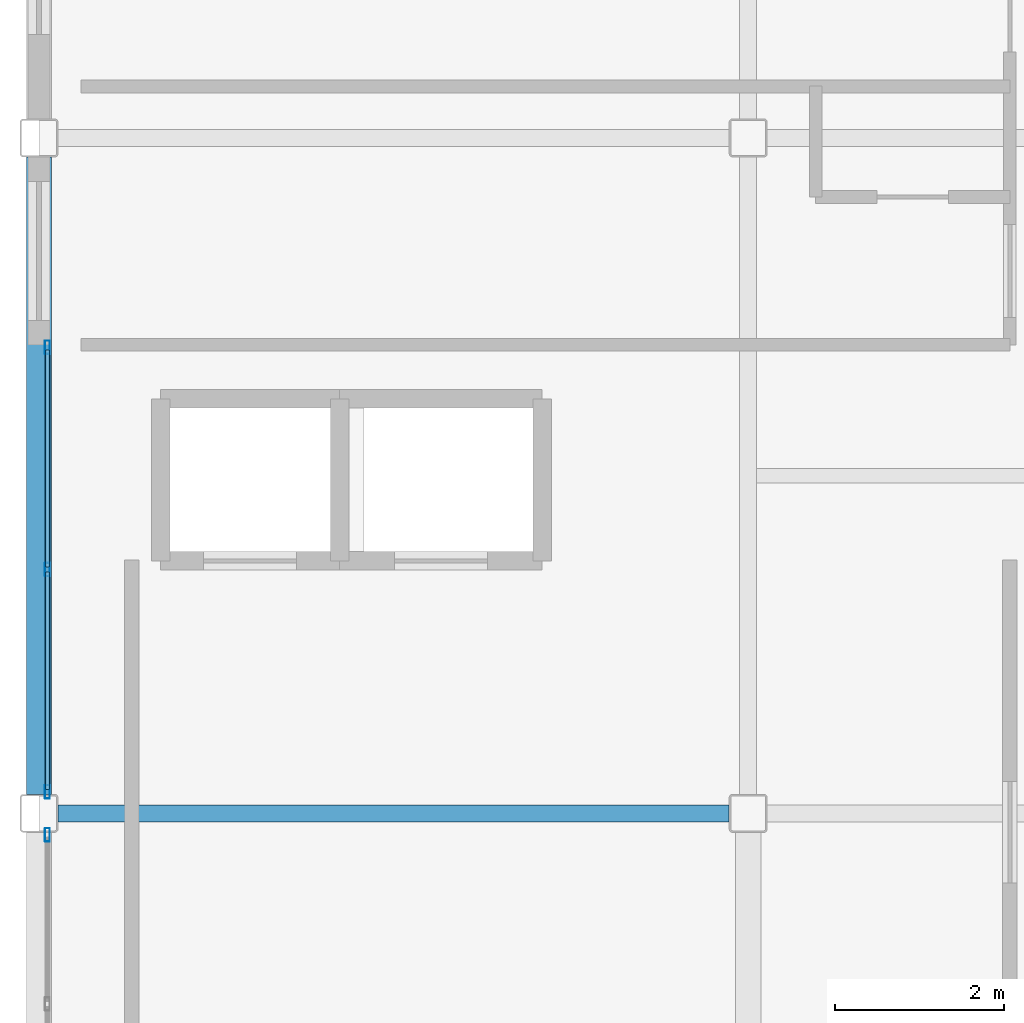
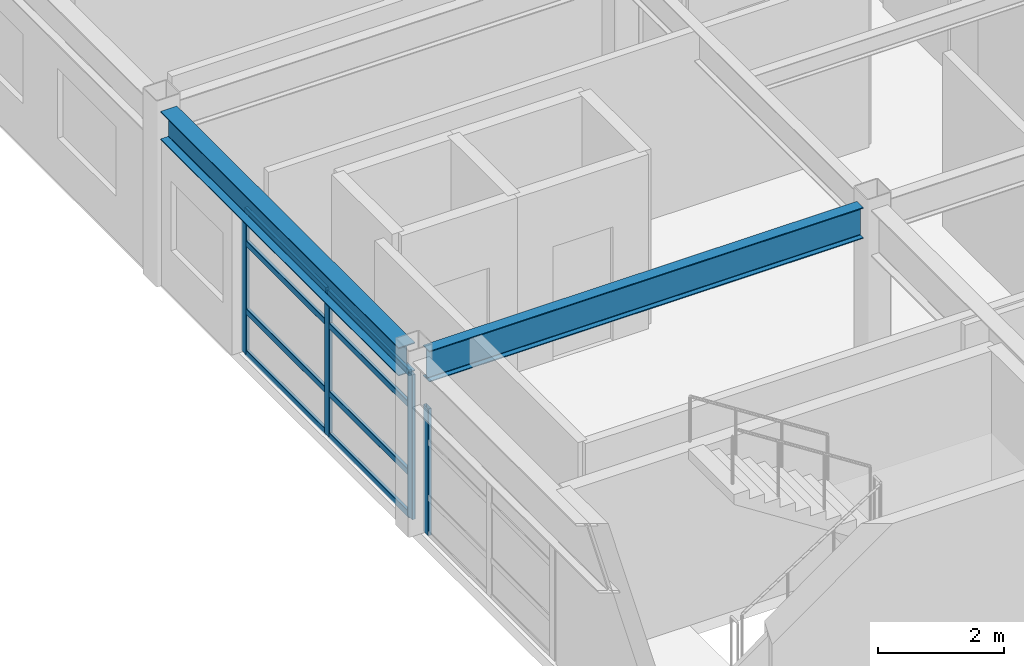
# One storey, part 13 of 28: 12 members, 2 beams, 2 elements without a shape of their own.
"""IFC4 building model written with IfcOpenShell, lengths in metres."""

import ifcopenshell
import ifcopenshell.guid

model = None  # the IFC model being written
_history = None  # IfcOwnerHistory: only IFC2X3 demands one
_inside = {}  # id of a spatial element -> (the spatial element, [elements in it])
_under = {}  # id of a project, library or spatial element -> (it, [spatial elements below it])
_declared = {}  # id of a project -> (the project, [libraries it declares])
_typed = {}  # id of a type object -> (the type object, [elements of that type])
_made_of = {}  # id of a material, layer set ... -> (it, [elements and type objects made of it])


def new_model(schema):
    """Start an empty IFC model of exactly this schema.

    Asked for "IFC4X3", IfcOpenShell would pick the latest addendum, in which some entities
    have other attributes; the version numbers below select the first issue.
    IFC2X3 requires an IfcOwnerHistory on every rooted entity: one is made here for all.
    """
    global model, _history
    if schema == "IFC4X3":
        model = ifcopenshell.file(schema_version=(4, 3, 0, 0))
    else:
        model = ifcopenshell.file(schema=schema)
    _inside.clear()
    _under.clear()
    _declared.clear()
    _typed.clear()
    _made_of.clear()
    _history = None
    if model.schema == "IFC2X3":
        org = make("IfcOrganization", Name="unknown")
        user = make(
            "IfcPersonAndOrganization",
            ThePerson=make("IfcPerson", FamilyName="unknown"),
            TheOrganization=org,
        )
        app = make(
            "IfcApplication",
            ApplicationDeveloper=org,
            Version="unknown",
            ApplicationFullName="unknown",
            ApplicationIdentifier="unknown",
        )
        _history = make(
            "IfcOwnerHistory",
            OwningUser=user,
            OwningApplication=app,
            ChangeAction="ADDED",
            CreationDate=0,
        )
    return model


def make(cls, **values):
    """One entity of the class cls with the attributes given. An attribute that is None is left unset."""
    return model.create_entity(
        cls, **{name: value for name, value in values.items() if value is not None}
    )


def rooted(cls, **values):
    """An entity with a GlobalId (a new one), such as an element, a storey or a relation."""
    return make(cls, GlobalId=ifcopenshell.guid.new(), OwnerHistory=_history, **values)


def si_unit(unit_type, name, prefix=None):
    """IfcSIUnit, for example si_unit("LENGTHUNIT", "METRE", prefix="MILLI")."""
    return make("IfcSIUnit", UnitType=unit_type, Prefix=prefix, Name=name)


def assignment(units):
    """IfcUnitAssignment: the units of a project."""
    return None if units is None else make("IfcUnitAssignment", Units=units)


def point(xyz):
    """IfcCartesianPoint."""
    return None if xyz is None else make("IfcCartesianPoint", Coordinates=xyz)


def direction(xyz):
    """IfcDirection."""
    return None if xyz is None else make("IfcDirection", DirectionRatios=xyz)


def frame(location, z_axis=None, x_axis=None):
    """IfcAxis2Placement3D, a coordinate frame: its origin and axes. An axis left out is left unset."""
    return make(
        "IfcAxis2Placement3D",
        Location=point(location),
        Axis=direction(z_axis),
        RefDirection=direction(x_axis),
    )


def frame_2d(location, x_axis=None):
    """IfcAxis2Placement2D, a coordinate frame in the plane: its origin and x axis."""
    return make(
        "IfcAxis2Placement2D", Location=point(location), RefDirection=direction(x_axis)
    )


def origin():
    """The frame at (0, 0, 0) with its axes left unset."""
    return frame((0.0, 0.0, 0.0))


def origin_2d():
    """The frame at (0, 0) in the plane with its x axis left unset."""
    return frame_2d((0.0, 0.0))


def place(relative_to, where):
    """IfcLocalPlacement: puts the frame where relative to a parent placement (None: the world)."""
    return make(
        "IfcLocalPlacement", PlacementRelTo=relative_to, RelativePlacement=where
    )


def context(
    kind, dimensions, precision=None, world=None, true_north=None, identifier=None
):
    """IfcGeometricRepresentationContext, for example the 3D "Model" context."""
    return make(
        "IfcGeometricRepresentationContext",
        ContextIdentifier=identifier,
        ContextType=kind,
        CoordinateSpaceDimension=dimensions,
        Precision=precision,
        WorldCoordinateSystem=world,
        TrueNorth=true_north,
    )


def subcontext(parent, identifier, kind, view, scale=None):
    """IfcGeometricRepresentationSubContext, for example "Body" below "Model"."""
    return make(
        "IfcGeometricRepresentationSubContext",
        ContextIdentifier=identifier,
        ContextType=kind,
        ParentContext=parent,
        TargetScale=scale,
        TargetView=view,
    )


def project(units=None, contexts=None):
    """IfcProject with its units and contexts."""
    return rooted(
        "IfcProject",
        Name="project",
        RepresentationContexts=contexts,
        UnitsInContext=assignment(units),
    )


def spatial(cls, under=None, at=None, **own):
    """A site, building, storey or space (cls), placed at a placement, below another one or the project."""
    s = rooted(cls, ObjectPlacement=at, **own)
    if under is not None:
        _under.setdefault(under.id(), (under, []))[1].append(s)
    return s


def profile(cls, at=None, kind="AREA", **sizes):
    """A parametric profile (cls). Its sizes go by their IFC names, for example OverallWidth=200.0."""
    return make(cls, ProfileType=kind, Position=at, **sizes)


def hollow_rectangle(**sizes):
    """IfcRectangleHollowProfileDef."""
    return profile("IfcRectangleHollowProfileDef", **sizes)


def i_section(**sizes):
    """IfcIShapeProfileDef."""
    return profile("IfcIShapeProfileDef", **sizes)


def extrude(swept, where, along, depth):
    """IfcExtrudedAreaSolid: the profile swept, set in the frame where, extruded along a direction by depth."""
    return make(
        "IfcExtrudedAreaSolid",
        SweptArea=swept,
        Position=where,
        ExtrudedDirection=direction(along),
        Depth=depth,
    )


def shape(context_of_items, identifier, shape_type, items):
    """IfcShapeRepresentation: the items that make up one representation, for example the "Body"."""
    return make(
        "IfcShapeRepresentation",
        ContextOfItems=context_of_items,
        RepresentationIdentifier=identifier,
        RepresentationType=shape_type,
        Items=items,
    )


def material(Name=None, Category=None):
    """IfcMaterial."""
    return make("IfcMaterial", Name=Name, Category=Category)


def layer(
    of_material, thickness, ventilated=None, Name=None, Category=None, Priority=None
):
    """IfcMaterialLayer: one layer of a wall or slab, of a material (None: an air gap)."""
    return make(
        "IfcMaterialLayer",
        Material=of_material,
        LayerThickness=thickness,
        IsVentilated=ventilated,
        Name=Name,
        Category=Category,
        Priority=Priority,
    )


def layer_set(layers, Name=None):
    """IfcMaterialLayerSet."""
    return make("IfcMaterialLayerSet", MaterialLayers=layers, LayerSetName=Name)


def material_profile(
    of_material, cross_section, Name=None, Category=None, Priority=None
):
    """IfcMaterialProfile: a cross section and its material."""
    return make(
        "IfcMaterialProfile",
        Name=Name,
        Material=of_material,
        Profile=cross_section,
        Priority=Priority,
        Category=Category,
    )


def profile_set(profiles, Name=None, composite=None):
    """IfcMaterialProfileSet."""
    return make(
        "IfcMaterialProfileSet",
        Name=Name,
        MaterialProfiles=profiles,
        CompositeProfile=composite,
    )


def made_of(thing, what):
    """Note that an element or type object is made of a material, layer set ...; save() writes the relation."""
    if what is not None:
        _made_of.setdefault(what.id(), (what, []))[1].append(thing)
    return thing


def type_object(cls, material=None, **own):
    """A type object (cls), such as IfcWallType, which elements share."""
    return made_of(rooted(cls, **own), material)


def element(
    cls,
    number,
    at=None,
    inside=None,
    cuts=None,
    type_object=None,
    material=None,
    context=None,
    identifier="Body",
    shape_type=None,
    held_by="IfcProductDefinitionShape",
    body=None,
    shapes=None,
    **own,
):
    """One element of the class cls, such as IfcWall. Its Tag is "e" and its number.

    at: its placement. inside: the storey or other place that contains it. cuts: it is an
    opening in that element (IfcRelVoidsElement). A single representation is given by context,
    identifier, shape_type and body (its items); several are given by shapes. held_by: the class
    of the entity that holds the representations. save() writes the other relations.
    """
    e = rooted(cls, Tag="e%d" % number, ObjectPlacement=at, **own)
    if body is not None:
        shapes = [shape(context, identifier, shape_type, body)]
    if shapes is not None:
        e.Representation = make(held_by, Representations=shapes)
    if inside is not None:
        _inside.setdefault(inside.id(), (inside, []))[1].append(e)
    if cuts is not None:
        rooted(
            "IfcRelVoidsElement", RelatingBuildingElement=cuts, RelatedOpeningElement=e
        )
    if type_object is not None:
        _typed.setdefault(type_object.id(), (type_object, []))[1].append(e)
    return made_of(e, material)


def aggregate(whole, parts):
    """IfcRelAggregates: a whole, such as a stair, and the parts it consists of."""
    return rooted("IfcRelAggregates", RelatingObject=whole, RelatedObjects=parts)


def save(model, path):
    """Write the relations noted so far, then the file.

    IfcRelAggregates (storeys below a building ...), IfcRelContainedInSpatialStructure (elements
    in a storey), IfcRelDefinesByType, IfcRelAssociatesMaterial and IfcRelDeclares: one each for
    every whole, place, type object, material and project.
    """
    for whole, parts in _under.values():
        aggregate(whole, parts)
    for where, things in _inside.values():
        rooted(
            "IfcRelContainedInSpatialStructure",
            RelatedElements=things,
            RelatingStructure=where,
        )
    for kind, things in _typed.values():
        rooted("IfcRelDefinesByType", RelatedObjects=things, RelatingType=kind)
    for what, things in _made_of.values():
        rooted("IfcRelAssociatesMaterial", RelatedObjects=things, RelatingMaterial=what)
    for by, libraries in _declared.values():
        rooted("IfcRelDeclares", RelatingContext=by, RelatedDefinitions=libraries)
    model.write(path)


model = new_model("IFC4")

# Units and contexts
model_context = context("Model", 3, precision=1e-05, world=origin(), true_north=direction((0.0, 1.0)))
body_context = subcontext(model_context, "Body", "Model", "MODEL_VIEW")
ifc_project = project(units=[si_unit("LENGTHUNIT", "METRE"), si_unit("AREAUNIT", "SQUARE_METRE"), si_unit("VOLUMEUNIT", "CUBIC_METRE"), si_unit("PLANEANGLEUNIT", "RADIAN"), si_unit("MASSUNIT", "GRAM", prefix="KILO")], contexts=[model_context])

# Site, building, storey
site_placement = place(None, origin())
site = spatial("IfcSite", under=ifc_project, at=site_placement, CompositionType="ELEMENT")
building_placement = place(site_placement, origin())
building = spatial("IfcBuilding", under=site, at=building_placement, Name="Kazehara Bluff Congress Hotel", CompositionType="ELEMENT")
storey_placement = place(building_placement, frame((0.0, 0.0, 42.60009765625)))
storey = spatial("IfcBuildingStorey", under=building, at=storey_placement, Name="L10", CompositionType="ELEMENT", Elevation=42.60009765625)

# Curtain wall, member
ifc_material_1 = material(Name="Anodised aluminium", Category="aluminium")
ifc_layer_1 = layer(ifc_material_1, 0.159912109375)
ifc_layer_set_1 = layer_set([ifc_layer_1], Name="Anodised aluminium")
curtain_wall_type_1 = type_object("IfcCurtainWallType", Name="TP-CW-204", PredefinedType="NOTDEFINED", material=ifc_layer_set_1)
curtain_wall_1_placement = place(storey_placement, origin())
curtain_wall_1 = element("IfcCurtainWall", 1, at=curtain_wall_1_placement, inside=storey, type_object=curtain_wall_type_1, Name="L10 curtain wall CW-204 CW-ENC-V5-L10-14380-5419", PredefinedType="NOTDEFINED")
ifc_material_2 = material(Name="Anodised aluminium", Category="aluminium")
ifc_material_profile_1 = material_profile(ifc_material_2, hollow_rectangle(XDim=0.06005859375, YDim=0.159912109375, WallThickness=0.00390625, InnerFilletRadius=0.00390625, OuterFilletRadius=0.008056640625, at=origin_2d()))
ifc_profile_set_1 = profile_set([ifc_material_profile_1], Name="Anodised aluminium")
member_type_1 = type_object("IfcMemberType", Name="TP-CWM-01", PredefinedType="MULLION", material=ifc_profile_set_1)
member_1_placement = place(storey_placement, frame((143.800048828125, 56.195068359375, 0.0), z_axis=(0.0, 0.0, 1.0), x_axis=(-1.0, 0.0, 0.0)))
member_1 = element("IfcMember", 2, at=member_1_placement, type_object=member_type_1, Name="CW-204 mullion 3", PredefinedType="MULLION", context=body_context, shape_type="SweptSolid", body=[
    extrude(hollow_rectangle(XDim=0.06005859375, YDim=0.159912109375, WallThickness=0.00390625, InnerFilletRadius=0.00390625, OuterFilletRadius=0.008056640625, at=origin_2d()), origin(), (0.0, 0.0, 1.0), 2.454833984375),
])
aggregate(curtain_wall_1, [member_1])

# Curtain wall, members
ifc_material_3 = material(Name="Anodised aluminium", Category="aluminium")
ifc_layer_2 = layer(ifc_material_3, 0.159912109375)
ifc_layer_set_2 = layer_set([ifc_layer_2], Name="Anodised aluminium")
curtain_wall_type_2 = type_object("IfcCurtainWallType", Name="TP-CW-205", PredefinedType="NOTDEFINED", material=ifc_layer_set_2)
curtain_wall_2_placement = place(storey_placement, origin())
curtain_wall_2 = element("IfcCurtainWall", 3, at=curtain_wall_2_placement, inside=storey, type_object=curtain_wall_type_2, Name="L10 curtain wall CW-205 CW-ENC-V5-L10-14380-5934", PredefinedType="NOTDEFINED")
member_2_placement = place(storey_placement, frame((143.800048828125, 56.705078125, 0.0), z_axis=(0.0, 0.0, 1.0), x_axis=(-1.0, 0.0, 0.0)))
member_2 = element("IfcMember", 4, at=member_2_placement, type_object=member_type_1, Name="CW-205 mullion 1", PredefinedType="MULLION", context=body_context, shape_type="SweptSolid", body=[
    extrude(hollow_rectangle(XDim=0.06005859375, YDim=0.159912109375, WallThickness=0.00390625, InnerFilletRadius=0.00390625, OuterFilletRadius=0.008056640625, at=origin_2d()), origin(), (0.0, 0.0, 1.0), 2.804931640625),
])
member_3_placement = place(storey_placement, frame((143.800048828125, 59.33740234375, 0.0), z_axis=(0.0, 0.0, 1.0), x_axis=(-1.0, 0.0, 0.0)))
member_3 = element("IfcMember", 5, at=member_3_placement, type_object=member_type_1, Name="CW-205 mullion 2", PredefinedType="MULLION", context=body_context, shape_type="SweptSolid", body=[
    extrude(hollow_rectangle(XDim=0.06005859375, YDim=0.159912109375, WallThickness=0.00390625, InnerFilletRadius=0.00390625, OuterFilletRadius=0.008056640625, at=origin_2d()), origin(), (0.0, 0.0, 1.0), 2.804931640625),
])
member_4_placement = place(storey_placement, frame((143.800048828125, 61.969970703125, 0.0), z_axis=(0.0, 0.0, 1.0), x_axis=(-1.0, 0.0, 0.0)))
member_4 = element("IfcMember", 6, at=member_4_placement, type_object=member_type_1, Name="CW-205 mullion 3", PredefinedType="MULLION", context=body_context, shape_type="SweptSolid", body=[
    extrude(hollow_rectangle(XDim=0.06005859375, YDim=0.159912109375, WallThickness=0.00390625, InnerFilletRadius=0.00390625, OuterFilletRadius=0.008056640625, at=origin_2d()), origin(), (0.0, 0.0, 1.0), 2.804931640625),
])
ifc_material_4 = material(Name="Anodised aluminium", Category="aluminium")
ifc_material_profile_2 = material_profile(ifc_material_4, hollow_rectangle(XDim=0.06005859375, YDim=0.1201171875, WallThickness=0.00390625, InnerFilletRadius=0.00390625, OuterFilletRadius=0.008056640625, at=origin_2d()))
ifc_profile_set_2 = profile_set([ifc_material_profile_2], Name="Anodised aluminium")
member_type_2 = type_object("IfcMemberType", Name="TP-CWT-01", PredefinedType="USERDEFINED", material=ifc_profile_set_2)
member_5_placement = place(storey_placement, frame((143.800048828125, 56.735107421875, 0.02978515625), z_axis=(0.0, 1.0, 0.0), x_axis=(-1.0, 0.0, 0.0)))
member_5 = element("IfcMember", 7, at=member_5_placement, type_object=member_type_2, Name="CW-205 transom 1.1", ObjectType="TRANSOM", PredefinedType="USERDEFINED", context=body_context, shape_type="SweptSolid", body=[
    extrude(hollow_rectangle(XDim=0.06005859375, YDim=0.1201171875, WallThickness=0.00390625, InnerFilletRadius=0.00390625, OuterFilletRadius=0.008056640625, at=origin_2d()), origin(), (0.0, 0.0, 1.0), 2.572509765625),
])
member_6_placement = place(storey_placement, frame((143.800048828125, 56.735107421875, 0.83984375), z_axis=(0.0, 1.0, 0.0), x_axis=(-1.0, 0.0, 0.0)))
member_6 = element("IfcMember", 8, at=member_6_placement, type_object=member_type_2, Name="CW-205 transom 1.2", ObjectType="TRANSOM", PredefinedType="USERDEFINED", context=body_context, shape_type="SweptSolid", body=[
    extrude(hollow_rectangle(XDim=0.06005859375, YDim=0.1201171875, WallThickness=0.00390625, InnerFilletRadius=0.00390625, OuterFilletRadius=0.008056640625, at=origin_2d()), origin(), (0.0, 0.0, 1.0), 2.572509765625),
])
member_7_placement = place(storey_placement, frame((143.800048828125, 56.735107421875, 2.15478515625), z_axis=(0.0, 1.0, 0.0), x_axis=(-1.0, 0.0, 0.0)))
member_7 = element("IfcMember", 9, at=member_7_placement, type_object=member_type_2, Name="CW-205 transom 1.3", ObjectType="TRANSOM", PredefinedType="USERDEFINED", context=body_context, shape_type="SweptSolid", body=[
    extrude(hollow_rectangle(XDim=0.06005859375, YDim=0.1201171875, WallThickness=0.00390625, InnerFilletRadius=0.00390625, OuterFilletRadius=0.008056640625, at=origin_2d()), origin(), (0.0, 0.0, 1.0), 2.572509765625),
])
member_8_placement = place(storey_placement, frame((143.800048828125, 56.735107421875, 2.77490234375), z_axis=(0.0, 1.0, 0.0), x_axis=(-1.0, 0.0, 0.0)))
member_8 = element("IfcMember", 10, at=member_8_placement, type_object=member_type_2, Name="CW-205 transom 1.4", ObjectType="TRANSOM", PredefinedType="USERDEFINED", context=body_context, shape_type="SweptSolid", body=[
    extrude(hollow_rectangle(XDim=0.06005859375, YDim=0.1201171875, WallThickness=0.00390625, InnerFilletRadius=0.00390625, OuterFilletRadius=0.008056640625, at=origin_2d()), origin(), (0.0, 0.0, 1.0), 2.572509765625),
])
member_9_placement = place(storey_placement, frame((143.800048828125, 59.367431640625, 0.02978515625), z_axis=(0.0, 1.0, 0.0), x_axis=(-1.0, 0.0, 0.0)))
member_9 = element("IfcMember", 11, at=member_9_placement, type_object=member_type_2, Name="CW-205 transom 2.1", ObjectType="TRANSOM", PredefinedType="USERDEFINED", context=body_context, shape_type="SweptSolid", body=[
    extrude(hollow_rectangle(XDim=0.06005859375, YDim=0.1201171875, WallThickness=0.00390625, InnerFilletRadius=0.00390625, OuterFilletRadius=0.008056640625, at=origin_2d()), origin(), (0.0, 0.0, 1.0), 2.572509765625),
])
member_10_placement = place(storey_placement, frame((143.800048828125, 59.367431640625, 0.83984375), z_axis=(0.0, 1.0, 0.0), x_axis=(-1.0, 0.0, 0.0)))
member_10 = element("IfcMember", 12, at=member_10_placement, type_object=member_type_2, Name="CW-205 transom 2.2", ObjectType="TRANSOM", PredefinedType="USERDEFINED", context=body_context, shape_type="SweptSolid", body=[
    extrude(hollow_rectangle(XDim=0.06005859375, YDim=0.1201171875, WallThickness=0.00390625, InnerFilletRadius=0.00390625, OuterFilletRadius=0.008056640625, at=origin_2d()), origin(), (0.0, 0.0, 1.0), 2.572509765625),
])
member_11_placement = place(storey_placement, frame((143.800048828125, 59.367431640625, 2.15478515625), z_axis=(0.0, 1.0, 0.0), x_axis=(-1.0, 0.0, 0.0)))
member_11 = element("IfcMember", 13, at=member_11_placement, type_object=member_type_2, Name="CW-205 transom 2.3", ObjectType="TRANSOM", PredefinedType="USERDEFINED", context=body_context, shape_type="SweptSolid", body=[
    extrude(hollow_rectangle(XDim=0.06005859375, YDim=0.1201171875, WallThickness=0.00390625, InnerFilletRadius=0.00390625, OuterFilletRadius=0.008056640625, at=origin_2d()), origin(), (0.0, 0.0, 1.0), 2.572509765625),
])
member_12_placement = place(storey_placement, frame((143.800048828125, 59.367431640625, 2.77490234375), z_axis=(0.0, 1.0, 0.0), x_axis=(-1.0, 0.0, 0.0)))
member_12 = element("IfcMember", 14, at=member_12_placement, type_object=member_type_2, Name="CW-205 transom 2.4", ObjectType="TRANSOM", PredefinedType="USERDEFINED", context=body_context, shape_type="SweptSolid", body=[
    extrude(hollow_rectangle(XDim=0.06005859375, YDim=0.1201171875, WallThickness=0.00390625, InnerFilletRadius=0.00390625, OuterFilletRadius=0.008056640625, at=origin_2d()), origin(), (0.0, 0.0, 1.0), 2.572509765625),
])
aggregate(curtain_wall_2, [member_2, member_3, member_4, member_5, member_6, member_7, member_8, member_9, member_10, member_11, member_12])

# Beams
ifc_material_5 = material(Name="Steel SN490B", Category="steel")
ifc_material_profile_3 = material_profile(ifc_material_5, i_section(OverallWidth=0.199951171875, OverallDepth=0.60009765625, WebThickness=0.010986328125, FlangeThickness=0.01708984375, FilletRadius=0.012939453125, at=origin_2d()))
ifc_profile_set_3 = profile_set([ifc_material_profile_3], Name="Steel SN490B")
beam_type_1 = type_object("IfcBeamType", Name="TP-G-02", PredefinedType="BEAM", material=ifc_profile_set_3)
beam_1_placement = place(storey_placement, frame((143.925048828125, 56.449951171875, 3.079833984375), z_axis=(1.0, 0.0, 0.0), x_axis=(0.0, 1.0, 0.0)))
element("IfcBeam", 15, at=beam_1_placement, inside=storey, type_object=beam_type_1, Name="L10 girder G-02 38", PredefinedType="BEAM", context=body_context, shape_type="SweptSolid", body=[
    extrude(i_section(OverallWidth=0.199951171875, OverallDepth=0.60009765625, WebThickness=0.010986328125, FlangeThickness=0.01708984375, FilletRadius=0.012939453125, at=origin_2d()), origin(), (0.0, 0.0, 1.0), 7.949951171875),
])
ifc_material_6 = material(Name="Steel SN490B", Category="steel")
ifc_material_profile_4 = material_profile(ifc_material_6, i_section(OverallWidth=0.300048828125, OverallDepth=0.550048828125, WebThickness=0.010986328125, FlangeThickness=0.01806640625, FilletRadius=0.012939453125, at=origin_2d()))
ifc_profile_set_4 = profile_set([ifc_material_profile_4], Name="Steel SN490B")
beam_type_2 = type_object("IfcBeamType", Name="TP-SP-01", PredefinedType="SPANDREL", material=ifc_profile_set_4)
beam_2_placement = place(storey_placement, frame((143.699951171875, 56.675048828125, 3.10498046875), z_axis=(0.0, 1.0, 0.0), x_axis=(-1.0, 0.0, 0.0)))
element("IfcBeam", 16, at=beam_2_placement, inside=storey, type_object=beam_type_2, Name="L10 girder SP-01 5", PredefinedType="SPANDREL", context=body_context, shape_type="SweptSolid", body=[
    extrude(i_section(OverallWidth=0.300048828125, OverallDepth=0.550048828125, WebThickness=0.010986328125, FlangeThickness=0.01806640625, FilletRadius=0.012939453125, at=origin_2d()), origin(), (0.0, 0.0, 1.0), 7.550048828125),
])

save(model, "model.ifc")
